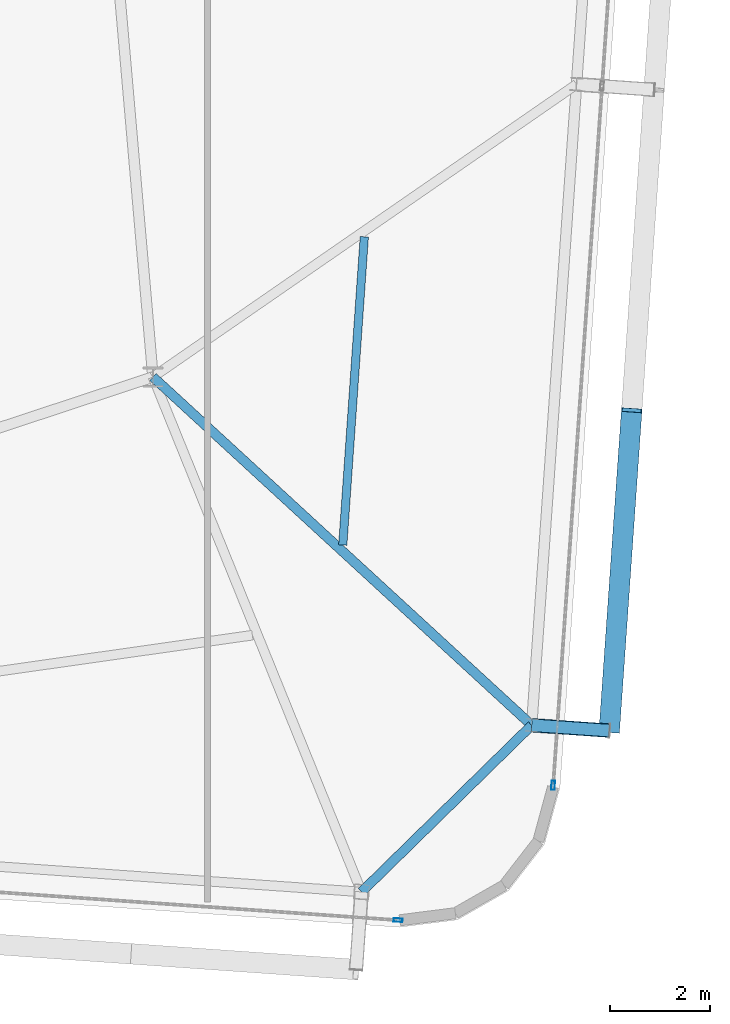
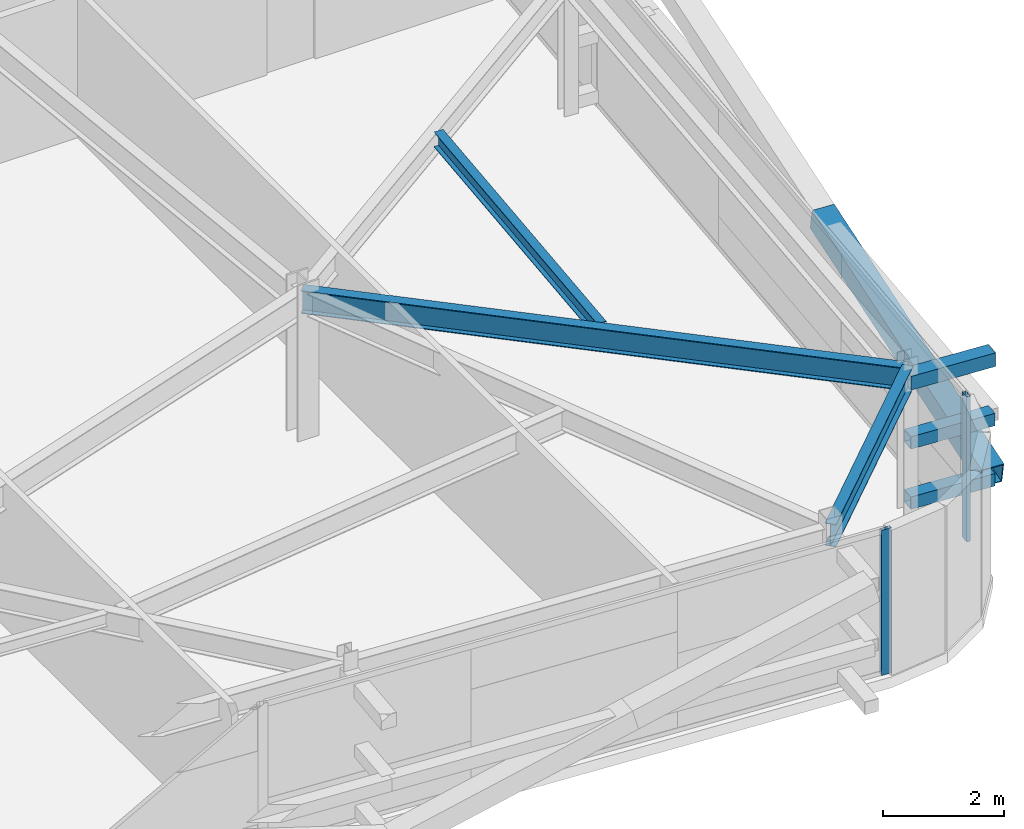
# One storey, part 15 of 39: 6 members, 3 beams, 2 elements without a shape of their own.
"""IFC4 building model written with IfcOpenShell, lengths in metres."""

from ifc_helpers import new_model, si_unit, direction, frame, origin, origin_2d, place, context, subcontext, project, spatial, hollow_rectangle, i_section, extrude, source, transform, mapped, material, layer, layer_set, material_profile, profile_set, type_object, element, aggregate, save


model = new_model("IFC4")

# Units and contexts
model_context = context("Model", 3, precision=1e-05, world=origin(), true_north=direction((0.0, 1.0)))
body_context = subcontext(model_context, "Body", "Model", "MODEL_VIEW")
ifc_project = project(units=[si_unit("LENGTHUNIT", "METRE"), si_unit("AREAUNIT", "SQUARE_METRE"), si_unit("VOLUMEUNIT", "CUBIC_METRE"), si_unit("PLANEANGLEUNIT", "RADIAN"), si_unit("MASSUNIT", "GRAM", prefix="KILO")], contexts=[model_context])

# Site, building, storey
site_placement = place(None, origin())
site = spatial("IfcSite", under=ifc_project, at=site_placement, CompositionType="ELEMENT")
building_placement = place(site_placement, origin())
building = spatial("IfcBuilding", under=site, at=building_placement, Name="Taldren Reach Tower", CompositionType="ELEMENT")
storey_placement = place(building_placement, frame((0.0, 0.0, 145.60009765625)))
storey = spatial("IfcBuildingStorey", under=building, at=storey_placement, Name="L44", CompositionType="ELEMENT", Elevation=145.60009765625)

# Members
ifc_material_1 = material(Name="Steel Gr 450 (C450L0)", Category="steel")
ifc_material_profile_1 = material_profile(ifc_material_1, hollow_rectangle(XDim=0.27490234375, YDim=0.27490234375, WallThickness=0.00927734375, at=origin_2d()), Name="275x275x9.3SHS")
ifc_profile_set_1 = profile_set([ifc_material_profile_1], Name="Steel Gr 450 (C450L0)")
member_type_1 = type_object("IfcMemberType", Name="MB-TIE273", PredefinedType="STRUT", material=ifc_profile_set_1)
shared_shape_1 = source(origin(), body_context, "Body", "SweptSolid", [
    extrude(hollow_rectangle(XDim=0.27490234375, YDim=0.27490234375, WallThickness=0.00927734375, at=origin_2d()), origin(), (0.0, 0.0, 1.0), 1.5498046875),
])
member_1_placement = place(storey_placement, frame((59.54541015625, 5.562744140625, 2.64990234375), z_axis=(0.997573320145, -0.069623781384, 0.0), x_axis=(0.069623781384, 0.997573320145, 0.0)))
element("IfcMember", 1, at=member_1_placement, inside=storey, type_object=member_type_1, Name="Exoskeleton diaphragm tie strut B3-E1 L44", PredefinedType="STRUT", context=body_context, shape_type="MappedRepresentation", body=[
    mapped(shared_shape_1, transform((0.0, 0.0, 0.0), scale=1.0)),
])
ifc_material_2 = material(Name="Steel Gr 350 (C350L0)", Category="steel")
ifc_material_profile_2 = material_profile(ifc_material_2, hollow_rectangle(XDim=0.25, YDim=0.25, WallThickness=0.010009765625, at=origin_2d()), Name="250x250x10.0SHS")
ifc_profile_set_2 = profile_set([ifc_material_profile_2], Name="Steel Gr 350 (C350L0)")
member_type_2 = type_object("IfcMemberType", Name="MB-POST250", PredefinedType="POST", material=ifc_profile_set_2)
shared_shape_2 = source(origin(), body_context, "Body", "SweptSolid", [
    extrude(hollow_rectangle(XDim=0.25, YDim=0.25, WallThickness=0.010009765625, at=origin_2d()), origin(), (0.0, 0.0, 1.0), 1.5498046875),
])
for number, where, z_axis, x_axis, name in (
    (2, (59.54541015625, 5.562744140625, 0.219970703125), (0.997573320145, -0.069623781384, 0.0), (0.069623781384, 0.997573320145, 0.0), "Exoskeleton base diaphragm tie strut B3-E1 L44"),
    (3, (59.54541015625, 5.562744140625, 1.434814453125), (0.997573320145, -0.069623781384, 0.0), (0.069623781384, 0.997573320145, 0.0), "Exoskeleton mid-tier diaphragm tie B3-E1 L44"),
):
    element("IfcMember", number, at=place(storey_placement, frame(where, z_axis=z_axis, x_axis=x_axis)), inside=storey, type_object=member_type_2, Name=name, PredefinedType="POST", context=body_context, shape_type="MappedRepresentation", body=[
        mapped(shared_shape_2, transform((0.0, 0.0, 0.0), scale=1.0)),
    ])

# Beams
ifc_material_3 = material(Name="Steel Gr 350 (350PLUS)", Category="steel")
ifc_material_profile_3 = material_profile(ifc_material_3, i_section(OverallWidth=0.18994140625, OverallDepth=0.4541015625, WebThickness=0.008544921875, FlangeThickness=0.0126953125, at=origin_2d()), Name="460UB67.1")
ifc_profile_set_3 = profile_set([ifc_material_profile_3], Name="Steel Gr 350 (350PLUS)")
beam_type_1 = type_object("IfcBeamType", Name="SP-UB460B", PredefinedType="SPANDREL", material=ifc_profile_set_3)
shared_shape_3 = source(origin(), body_context, "Body", "SweptSolid", [
    extrude(i_section(OverallWidth=0.18994140625, OverallDepth=0.4541015625, WebThickness=0.008544921875, FlangeThickness=0.0126953125, at=origin_2d()), origin(), (0.0, 0.0, 1.0), 4.745849609375),
])
beam_1_placement = place(storey_placement, frame((56.155517578125, 2.2412109375, 2.702880859375), z_axis=(0.714271982806, 0.699868226581, 0.0), x_axis=(-0.699868226581, 0.714271982806, 0.0)))
element("IfcBeam", 4, at=beam_1_placement, inside=storey, type_object=beam_type_1, Name="Perimeter spandrel B3 S6-E1 L44", PredefinedType="SPANDREL", context=body_context, shape_type="MappedRepresentation", body=[
    mapped(shared_shape_3, transform((0.0, 0.0, 0.0), scale=1.0)),
])
ifc_material_profile_4 = material_profile(ifc_material_3, i_section(OverallWidth=0.19091796875, OverallDepth=0.4599609375, WebThickness=0.010009765625, FlangeThickness=0.01611328125, at=origin_2d()), Name="460UB82.1")
ifc_profile_set_4 = profile_set([ifc_material_profile_4], Name="Steel Gr 350 (350PLUS)")
beam_type_2 = type_object("IfcBeamType", Name="BM-UB460A", PredefinedType="BEAM", material=ifc_profile_set_4)
shared_shape_4 = source(origin(), body_context, "Body", "SweptSolid", [
    extrude(i_section(OverallWidth=0.19091796875, OverallDepth=0.4599609375, WebThickness=0.010009765625, FlangeThickness=0.01611328125, at=origin_2d()), origin(), (0.0, 0.0, 1.0), 10.249755859375),
])
beam_2_placement = place(storey_placement, frame((52.0, 12.5, 2.699951171875), z_axis=(0.736150772628, -0.676817582483, 0.0), x_axis=(0.676817582483, 0.736150772628, 0.0)))
element("IfcBeam", 5, at=beam_2_placement, inside=storey, type_object=beam_type_2, Name="Primary floor girder B3-E1 L44", PredefinedType="BEAM", context=body_context, shape_type="MappedRepresentation", body=[
    mapped(shared_shape_4, transform((0.0, 0.0, 0.0), scale=1.0)),
])
ifc_material_4 = material(Name="Steel Gr 300 (300PLUS, 300 MPa)", Category="steel")
ifc_material_profile_5 = material_profile(ifc_material_4, i_section(OverallWidth=0.166015625, OverallDepth=0.306884765625, WebThickness=0.006591796875, FlangeThickness=0.01171875, at=origin_2d()), Name="310UB46.2")
ifc_profile_set_5 = profile_set([ifc_material_profile_5], Name="Steel Gr 300 (300PLUS, 300 MPa)")
beam_type_3 = type_object("IfcBeamType", Name="JS-UB310", PredefinedType="JOIST", material=ifc_profile_set_5)
shared_shape_5 = source(origin(), body_context, "Body", "SweptSolid", [
    extrude(i_section(OverallWidth=0.166015625, OverallDepth=0.306884765625, WebThickness=0.006591796875, FlangeThickness=0.01171875, at=origin_2d()), origin(), (0.0, 0.0, 1.0), 6.155517578125),
])
beam_3_placement = place(storey_placement, frame((55.78125, 9.1533203125, 2.7763671875), z_axis=(0.069764400024, 0.997563495969, 0.0), x_axis=(-0.997563495969, 0.069764400024, 0.0)))
element("IfcBeam", 6, at=beam_3_placement, inside=storey, type_object=beam_type_3, Name="Secondary floor joist B3 J7 L44", PredefinedType="JOIST", context=body_context, shape_type="MappedRepresentation", body=[
    mapped(shared_shape_5, transform((0.0, 0.0, 0.0), scale=1.0)),
])

# Member
ifc_material_profile_6 = material_profile(ifc_material_1, hollow_rectangle(XDim=0.409912109375, YDim=0.409912109375, WallThickness=0.01611328125, at=origin_2d()), Name="410x410x16.0SHS")
ifc_profile_set_6 = profile_set([ifc_material_profile_6], Name="Steel Gr 450 (C450L0)")
member_type_3 = type_object("IfcMemberType", Name="MB-EXO406", PredefinedType="BRACE", material=ifc_profile_set_6)
shared_shape_6 = source(origin(), body_context, "Body", "SweptSolid", [
    extrude(hollow_rectangle(XDim=0.409912109375, YDim=0.409912109375, WallThickness=0.01611328125, at=origin_2d()), origin(), (0.0, 0.0, 1.0), 6.51416015625),
])
member_2_placement = place(storey_placement, frame((61.091552734375, 5.454833984375, 0.219970703125), z_axis=(0.068548123702, 0.980062020128, 0.186492872358), x_axis=(-0.997562951496, 0.069772185021, 0.0)))
element("IfcMember", 7, at=member_2_placement, inside=storey, type_object=member_type_3, Name="Exoskeleton Diagrid Brace B3-E1 L44", PredefinedType="BRACE", context=body_context, shape_type="MappedRepresentation", body=[
    mapped(shared_shape_6, transform((0.0, 0.0, 0.0), scale=1.0)),
])

# Curtain wall, member
ifc_material_5 = material(Name="Aluminium and Low-E Glass Unitised System", Category="aluminium")
ifc_layer = layer(ifc_material_5, 0.159912109375)
ifc_layer_set = layer_set([ifc_layer], Name="Aluminium and Low-E Glass Unitised System")
curtain_wall_type = type_object("IfcCurtainWallType", Name="CW-SYS-4", PredefinedType="NOTDEFINED", material=ifc_layer_set)
curtain_wall_1_placement = place(storey_placement, origin())
curtain_wall_1 = element("IfcCurtainWall", 8, at=curtain_wall_1_placement, inside=storey, type_object=curtain_wall_type, Name="Unitised curtain wall CW-L44-S", PredefinedType="NOTDEFINED")
ifc_material_6 = material(Name="Anodised Aluminium 6063-T6", Category="aluminium")
ifc_material_profile_7 = material_profile(ifc_material_6, hollow_rectangle(XDim=0.070068359375, YDim=0.179931640625, WallThickness=0.00390625, at=origin_2d()), Name="ALU-180x70x4RHS")
ifc_profile_set_7 = profile_set([ifc_material_profile_7], Name="Anodised Aluminium 6063-T6")
member_type_4 = type_object("IfcMemberType", Name="CW-MUL-180", PredefinedType="MULLION", material=ifc_profile_set_7)
shared_shape_7 = source(origin(), body_context, "Body", "SweptSolid", [
    extrude(hollow_rectangle(XDim=0.070068359375, YDim=0.179931640625, WallThickness=0.00390625, at=origin_2d()), origin(), (0.0, 0.0, 1.0), 2.929931640625),
])
member_3_placement = place(storey_placement, frame((56.883056640625, 1.67919921875, 0.0), z_axis=(0.0, 0.0, 1.0), x_axis=(0.06975651593, 0.99756404731, 0.0)))
member_3 = element("IfcMember", 9, at=member_3_placement, type_object=member_type_4, Name="CW-4 mullion 5", PredefinedType="MULLION", context=body_context, shape_type="MappedRepresentation", body=[
    mapped(shared_shape_7, transform((0.0, 0.0, 0.0), scale=1.0)),
])
aggregate(curtain_wall_1, [member_3])

curtain_wall_2_placement = place(storey_placement, origin())
curtain_wall_2 = element("IfcCurtainWall", 10, at=curtain_wall_2_placement, inside=storey, type_object=curtain_wall_type, Name="Unitised curtain wall CW-L44-E", PredefinedType="NOTDEFINED")
member_4_placement = place(storey_placement, frame((59.972900390625, 4.365234375, 0.0), z_axis=(0.0, 0.0, 1.0), x_axis=(-0.997564052812, 0.069756437251, 0.0)))
member_4 = element("IfcMember", 11, at=member_4_placement, type_object=member_type_4, Name="CW-4 mullion 1", PredefinedType="MULLION", context=body_context, shape_type="MappedRepresentation", body=[
    mapped(shared_shape_7, transform((0.0, 0.0, 0.0), scale=1.0)),
])
aggregate(curtain_wall_2, [member_4])

save(model, "model.ifc")
